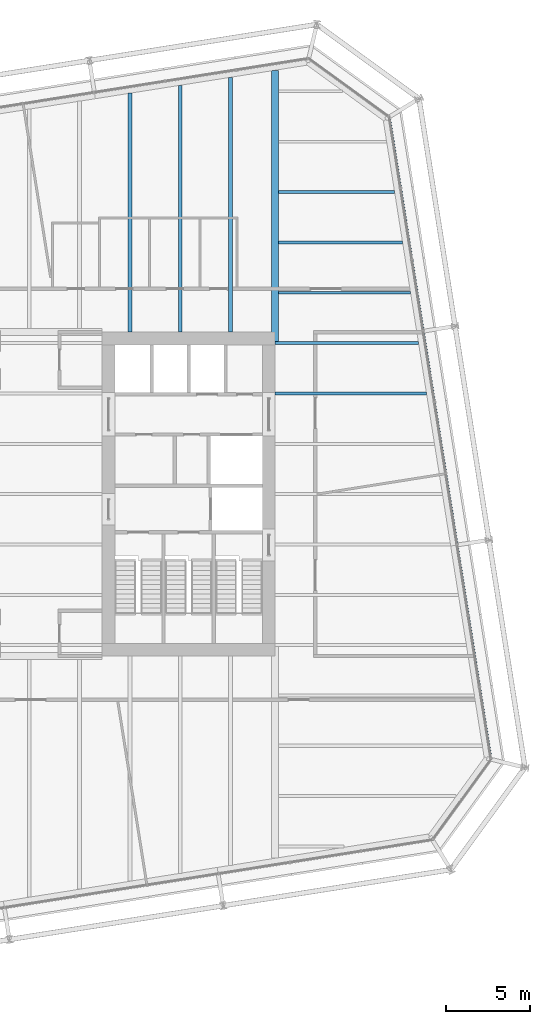
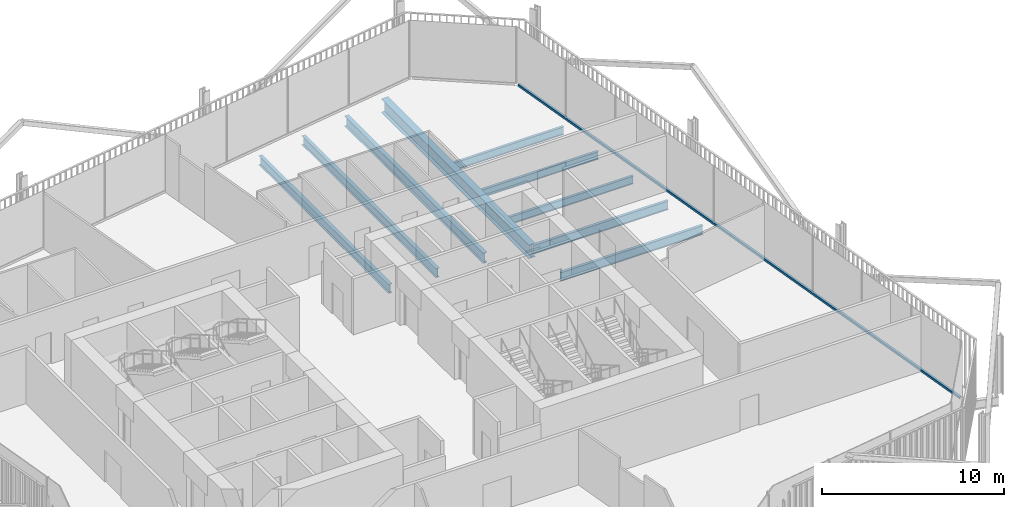
# One storey, part 14 of 22: 9 beams, 1 member, 1 element without a shape of its own.
"""IFC4 building model written with IfcOpenShell, lengths in metres."""

from ifc_helpers import new_model, si_unit, direction, frame, origin, origin_2d, place, context, subcontext, project, spatial, rectangle, i_section, extrude, material, layer, layer_set, material_profile, profile_set, type_object, element, aggregate, save


model = new_model("IFC4")

# Units and contexts
model_context = context("Model", 3, precision=1e-05, world=origin(), true_north=direction((0.0, 1.0)))
body_context = subcontext(model_context, "Body", "Model", "MODEL_VIEW")
ifc_project = project(units=[si_unit("LENGTHUNIT", "METRE"), si_unit("AREAUNIT", "SQUARE_METRE"), si_unit("VOLUMEUNIT", "CUBIC_METRE"), si_unit("PLANEANGLEUNIT", "RADIAN"), si_unit("MASSUNIT", "GRAM", prefix="KILO")], contexts=[model_context])

# Site, building, storey
site_placement = place(None, origin())
site = spatial("IfcSite", under=ifc_project, at=site_placement, CompositionType="ELEMENT")
building_placement = place(site_placement, origin())
building = spatial("IfcBuilding", under=site, at=building_placement, Name="Millrace Tower", CompositionType="ELEMENT")
storey_placement = place(building_placement, frame((0.0, 0.0, 180.0)))
storey = spatial("IfcBuildingStorey", under=building, at=storey_placement, Name="L40", CompositionType="ELEMENT", Elevation=180.0)

# Curtain wall, member
ifc_material_1 = material(Name="Aluminium and glass", Category="aluminium")
ifc_layer = layer(ifc_material_1, 0.14990234375)
ifc_layer_set = layer_set([ifc_layer], Name="Aluminium and glass")
curtain_wall_type = type_object("IfcCurtainWallType", Name="CW-1 office vision curtain wall", PredefinedType="NOTDEFINED", material=ifc_layer_set)
curtain_wall_placement = place(storey_placement, origin())
curtain_wall = element("IfcCurtainWall", 1, at=curtain_wall_placement, inside=storey, type_object=curtain_wall_type, Name="Curtain wall C-F04 L40", PredefinedType="NOTDEFINED")
ifc_material_2 = material(Name="Aluminium", Category="aluminium")
ifc_material_profile_1 = material_profile(ifc_material_2, rectangle(XDim=0.14990234375, YDim=0.139892578125, at=origin_2d()))
ifc_profile_set_1 = profile_set([ifc_material_profile_1], Name="Aluminium")
member_type = type_object("IfcMemberType", Name="CW-1 office vision curtain wall transom", PredefinedType="USERDEFINED", material=ifc_profile_set_1)
member_placement = place(storey_placement, frame((27.49609375, -15.675048828125, 0.070068359375), z_axis=(-0.156434402447, 0.987688350509, 0.0), x_axis=(-0.987688350509, -0.156434402447, 0.0)))
member = element("IfcMember", 2, at=member_placement, type_object=member_type, Name="CW1 transom C-F04.1", ObjectType="TRANSOM", PredefinedType="USERDEFINED", context=body_context, shape_type="SweptSolid", body=[
    extrude(rectangle(XDim=0.14990234375, YDim=0.139892578125, at=origin_2d()), origin(), (0.0, 0.0, 1.0), 38.499755859375),
])
aggregate(curtain_wall, [member])

# Beams
ifc_material_3 = material(Name="Steel ASTM A992 Grade 50", Category="steel")
ifc_material_profile_2 = material_profile(ifc_material_3, i_section(OverallWidth=0.1650390625, OverallDepth=0.52587890625, WebThickness=0.0087890625, FlangeThickness=0.011474609375, FilletRadius=0.0126953125, at=origin_2d()))
ifc_profile_set_2 = profile_set([ifc_material_profile_2], Name="Steel ASTM A992 Grade 50")
beam_type_1 = type_object("IfcBeamType", Name="Floor beam W21x44", PredefinedType="JOIST", material=ifc_profile_set_2)
beam_1_placement = place(storey_placement, frame((14.859619140625, 12.0, -0.4228515625), z_axis=(1.0, 0.0, 0.0), x_axis=(0.0, 1.0, 0.0)))
element("IfcBeam", 3, at=beam_1_placement, inside=storey, type_object=beam_type_1, Name="BM-C-L40-S1-S032", PredefinedType="JOIST", context=body_context, shape_type="SweptSolid", body=[
    extrude(i_section(OverallWidth=0.1650390625, OverallDepth=0.52587890625, WebThickness=0.0087890625, FlangeThickness=0.011474609375, FilletRadius=0.0126953125, at=origin_2d()), origin(), (0.0, 0.0, 1.0), 7.8662109375),
])
beam_2_placement = place(storey_placement, frame((14.859619140625, 15.0, -0.4228515625), z_axis=(1.0, 0.0, 0.0), x_axis=(0.0, 1.0, 0.0)))
element("IfcBeam", 4, at=beam_2_placement, inside=storey, type_object=beam_type_1, Name="BM-C-L40-S1-S034", PredefinedType="JOIST", context=body_context, shape_type="SweptSolid", body=[
    extrude(i_section(OverallWidth=0.1650390625, OverallDepth=0.52587890625, WebThickness=0.0087890625, FlangeThickness=0.011474609375, FilletRadius=0.0126953125, at=origin_2d()), origin(), (0.0, 0.0, 1.0), 7.390869140625),
])
beam_3_placement = place(storey_placement, frame((14.859619140625, 18.0, -0.4228515625), z_axis=(1.0, 0.0, 0.0), x_axis=(0.0, 1.0, 0.0)))
element("IfcBeam", 5, at=beam_3_placement, inside=storey, type_object=beam_type_1, Name="BM-C-L40-S1-S036", PredefinedType="JOIST", context=body_context, shape_type="SweptSolid", body=[
    extrude(i_section(OverallWidth=0.1650390625, OverallDepth=0.52587890625, WebThickness=0.0087890625, FlangeThickness=0.011474609375, FilletRadius=0.0126953125, at=origin_2d()), origin(), (0.0, 0.0, 1.0), 6.915771484375),
])
ifc_material_4 = material(Name="Steel ASTM A992 Grade 50", Category="steel")
ifc_material_profile_3 = material_profile(ifc_material_4, i_section(OverallWidth=0.177978515625, OverallDepth=0.599365234375, WebThickness=0.010009765625, FlangeThickness=0.012939453125, FilletRadius=0.012939453125, at=origin_2d()))
ifc_profile_set_3 = profile_set([ifc_material_profile_3], Name="Steel ASTM A992 Grade 50")
beam_type_2 = type_object("IfcBeamType", Name="Floor beam W24x55", PredefinedType="JOIST", material=ifc_profile_set_3)
beam_4_placement = place(storey_placement, frame((14.64990234375, 6.0, -0.459716796875), z_axis=(1.0, 0.0, 0.0), x_axis=(0.0, 1.0, 0.0)))
element("IfcBeam", 6, at=beam_4_placement, inside=storey, type_object=beam_type_2, Name="BM-C-L40-S1-S027", PredefinedType="JOIST", context=body_context, shape_type="SweptSolid", body=[
    extrude(i_section(OverallWidth=0.177978515625, OverallDepth=0.599365234375, WebThickness=0.010009765625, FlangeThickness=0.012939453125, FilletRadius=0.012939453125, at=origin_2d()), origin(), (0.0, 0.0, 1.0), 9.026123046875),
])
beam_5_placement = place(storey_placement, frame((14.64990234375, 9.0, -0.459716796875), z_axis=(1.0, 0.0, 0.0), x_axis=(0.0, 1.0, 0.0)))
element("IfcBeam", 7, at=beam_5_placement, inside=storey, type_object=beam_type_2, Name="BM-C-L40-S1-S030", PredefinedType="JOIST", context=body_context, shape_type="SweptSolid", body=[
    extrude(i_section(OverallWidth=0.177978515625, OverallDepth=0.599365234375, WebThickness=0.010009765625, FlangeThickness=0.012939453125, FilletRadius=0.012939453125, at=origin_2d()), origin(), (0.0, 0.0, 1.0), 8.551025390625),
])
ifc_material_5 = material(Name="Steel ASTM A992 Grade 50", Category="steel")
ifc_material_profile_4 = material_profile(ifc_material_5, i_section(OverallWidth=0.228271484375, OverallDepth=0.607177734375, WebThickness=0.01123046875, FlangeThickness=0.017333984375, FilletRadius=0.0126953125, at=origin_2d()))
ifc_profile_set_4 = profile_set([ifc_material_profile_4], Name="Steel ASTM A992 Grade 50")
beam_type_3 = type_object("IfcBeamType", Name="Floor beam W24x76", PredefinedType="JOIST", material=ifc_profile_set_4)
beam_6_placement = place(storey_placement, frame((6.0, 9.64990234375, -0.463623046875), z_axis=(0.0, 1.0, 0.0), x_axis=(-1.0, 0.0, 0.0)))
element("IfcBeam", 8, at=beam_6_placement, inside=storey, type_object=beam_type_3, Name="BM-C-L40-S1-S051", PredefinedType="JOIST", context=body_context, shape_type="SweptSolid", body=[
    extrude(i_section(OverallWidth=0.228271484375, OverallDepth=0.607177734375, WebThickness=0.01123046875, FlangeThickness=0.017333984375, FilletRadius=0.0126953125, at=origin_2d()), origin(), (0.0, 0.0, 1.0), 14.2421875),
])
beam_7_placement = place(storey_placement, frame((9.0, 9.64990234375, -0.463623046875), z_axis=(0.0, 1.0, 0.0), x_axis=(-1.0, 0.0, 0.0)))
element("IfcBeam", 9, at=beam_7_placement, inside=storey, type_object=beam_type_3, Name="BM-C-L40-S1-S053", PredefinedType="JOIST", context=body_context, shape_type="SweptSolid", body=[
    extrude(i_section(OverallWidth=0.228271484375, OverallDepth=0.607177734375, WebThickness=0.01123046875, FlangeThickness=0.017333984375, FilletRadius=0.0126953125, at=origin_2d()), origin(), (0.0, 0.0, 1.0), 14.71728515625),
])
ifc_material_6 = material(Name="Steel ASTM A992 Grade 50", Category="steel")
ifc_material_profile_5 = material_profile(ifc_material_6, i_section(OverallWidth=0.256591796875, OverallDepth=0.693359375, WebThickness=0.014404296875, FlangeThickness=0.023681640625, FilletRadius=0.01513671875, at=origin_2d()))
ifc_profile_set_5 = profile_set([ifc_material_profile_5], Name="Steel ASTM A992 Grade 50")
beam_type_4 = type_object("IfcBeamType", Name="Floor beam W27x114", PredefinedType="JOIST", material=ifc_profile_set_5)
beam_8_placement = place(storey_placement, frame((12.0, 9.64990234375, -0.506591796875), z_axis=(0.0, 1.0, 0.0), x_axis=(-1.0, 0.0, 0.0)))
element("IfcBeam", 10, at=beam_8_placement, inside=storey, type_object=beam_type_4, Name="BM-C-L40-S1-S055", PredefinedType="JOIST", context=body_context, shape_type="SweptSolid", body=[
    extrude(i_section(OverallWidth=0.256591796875, OverallDepth=0.693359375, WebThickness=0.014404296875, FlangeThickness=0.023681640625, FilletRadius=0.01513671875, at=origin_2d()), origin(), (0.0, 0.0, 1.0), 15.1923828125),
])
ifc_material_7 = material(Name="Steel ASTM A992 Grade 50", Category="steel")
ifc_material_profile_6 = material_profile(ifc_material_7, i_section(OverallWidth=0.419189453125, OverallDepth=0.927001953125, WebThickness=0.019287109375, FlangeThickness=0.031982421875, FilletRadius=0.024169921875, at=origin_2d()))
ifc_profile_set_6 = profile_set([ifc_material_profile_6], Name="Steel ASTM A992 Grade 50")
beam_type_5 = type_object("IfcBeamType", Name="Girder medium span W36x231", PredefinedType="BEAM", material=ifc_profile_set_6)
beam_9_placement = place(storey_placement, frame((14.64990234375, 9.090087890625, -0.62353515625), z_axis=(0.0, 1.0, 0.0), x_axis=(-1.0, 0.0, 0.0)))
element("IfcBeam", 11, at=beam_9_placement, inside=storey, type_object=beam_type_5, Name="BM-C-L40-S1-G059", PredefinedType="BEAM", context=body_context, shape_type="SweptSolid", body=[
    extrude(i_section(OverallWidth=0.419189453125, OverallDepth=0.927001953125, WebThickness=0.019287109375, FlangeThickness=0.031982421875, FilletRadius=0.024169921875, at=origin_2d()), origin(), (0.0, 0.0, 1.0), 16.1640625),
])

save(model, "model.ifc")
